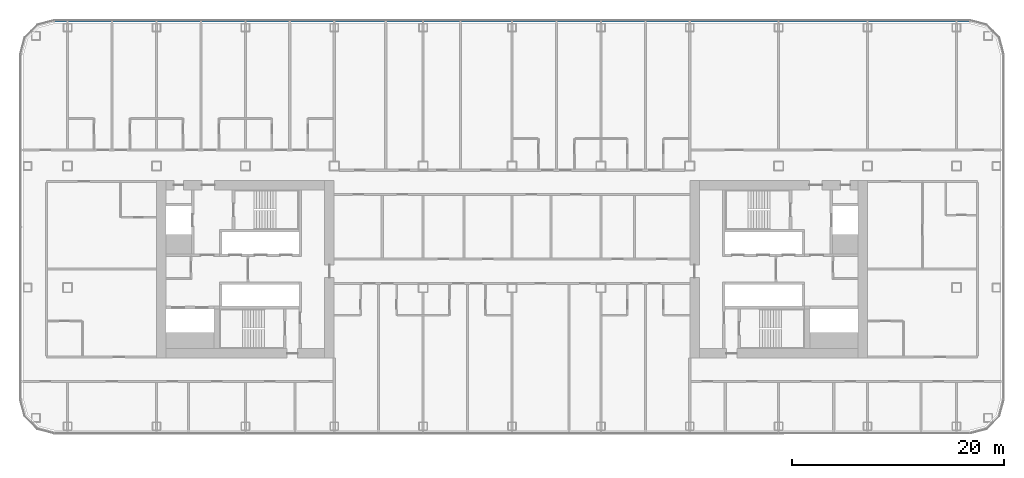
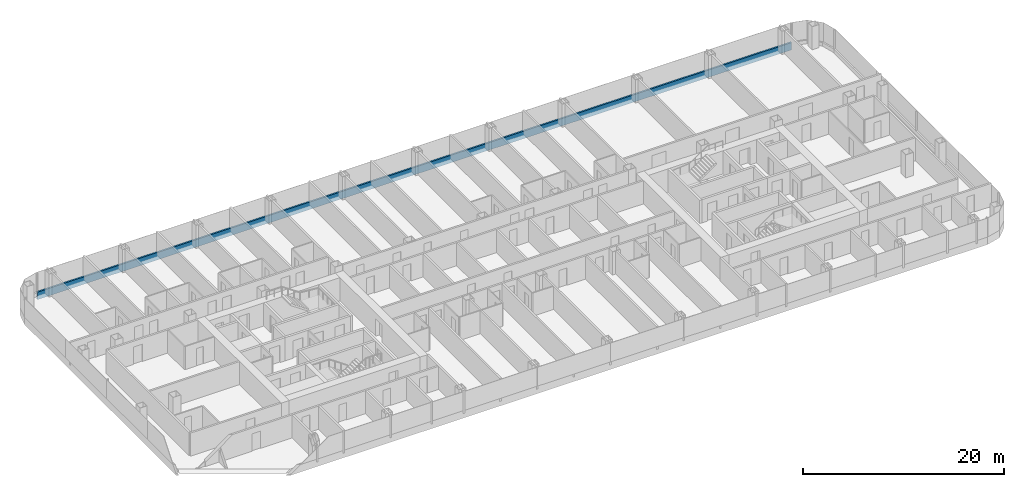
# One storey, part 9 of 29: 1 member, 1 element without a shape of its own.
"""IFC4 building model written with IfcOpenShell, lengths in metres."""

from ifc_helpers import new_model, si_unit, direction, frame, origin, origin_2d, place, context, subcontext, project, spatial, rectangle, extrude, material, layer, layer_set, material_profile, profile_set, type_object, element, aggregate, save


model = new_model("IFC4")

# Units and contexts
model_context = context("Model", 3, precision=1e-05, world=origin(), true_north=direction((0.0, 1.0)))
body_context = subcontext(model_context, "Body", "Model", "MODEL_VIEW")
ifc_project = project(units=[si_unit("LENGTHUNIT", "METRE"), si_unit("AREAUNIT", "SQUARE_METRE"), si_unit("VOLUMEUNIT", "CUBIC_METRE"), si_unit("PLANEANGLEUNIT", "RADIAN"), si_unit("MASSUNIT", "GRAM", prefix="KILO")], contexts=[model_context])

# Site, building, storey
site_placement = place(None, origin())
site = spatial("IfcSite", under=ifc_project, at=site_placement, CompositionType="ELEMENT")
building_placement = place(site_placement, origin())
building = spatial("IfcBuilding", under=site, at=building_placement, Name="Hakoniwa Tower and Hamabe Station Hall", CompositionType="ELEMENT")
storey_placement = place(building_placement, frame((0.0, 0.0, 110.60009765625)))
storey = spatial("IfcBuildingStorey", under=building, at=storey_placement, Name="L31", CompositionType="ELEMENT", Elevation=110.60009765625)

# Curtain wall, member
ifc_material_1 = material(Name="Dark low-e laminated glass", Category="glass")
ifc_layer = layer(ifc_material_1, 0.199951171875)
ifc_layer_set = layer_set([ifc_layer], Name="CW-1 UNITISED GUEST")
curtain_wall_type = type_object("IfcCurtainWallType", Name="CW-1 UNITISED GUEST", PredefinedType="NOTDEFINED", material=ifc_layer_set)
curtain_wall_placement = place(storey_placement, origin())
curtain_wall = element("IfcCurtainWall", 1, at=curtain_wall_placement, inside=storey, type_object=curtain_wall_type, Name="CW-1 curtain wall", PredefinedType="NOTDEFINED")
ifc_material_2 = material(Name="Aluminium 6063-T5 black anodised", Category="aluminium")
ifc_material_profile = material_profile(ifc_material_2, rectangle(XDim=0.199951171875, YDim=0.89990234375, at=origin_2d()), Name="CW SLAB-EDGE BAND 900X200")
ifc_profile_set = profile_set([ifc_material_profile], Name="Aluminium 6063-T5 black anodised")
member_type = type_object("IfcMemberType", Name="CW SLAB-EDGE BAND 900X200", PredefinedType="USERDEFINED", material=ifc_profile_set)
member_placement = place(storey_placement, frame((43.239501953125, 23.449951171875, -0.10009765625), z_axis=(-1.0, 0.0, 0.0), x_axis=(0.0, -1.0, 0.0)))
member = element("IfcMember", 2, at=member_placement, type_object=member_type, Name="CW-1 transom", ObjectType="TRANSOM", PredefinedType="USERDEFINED", context=body_context, shape_type="SweptSolid", body=[
    extrude(rectangle(XDim=0.199951171875, YDim=0.89990234375, at=origin_2d()), origin(), (0.0, 0.0, 1.0), 86.47900390625),
])
aggregate(curtain_wall, [member])

save(model, "model.ifc")
